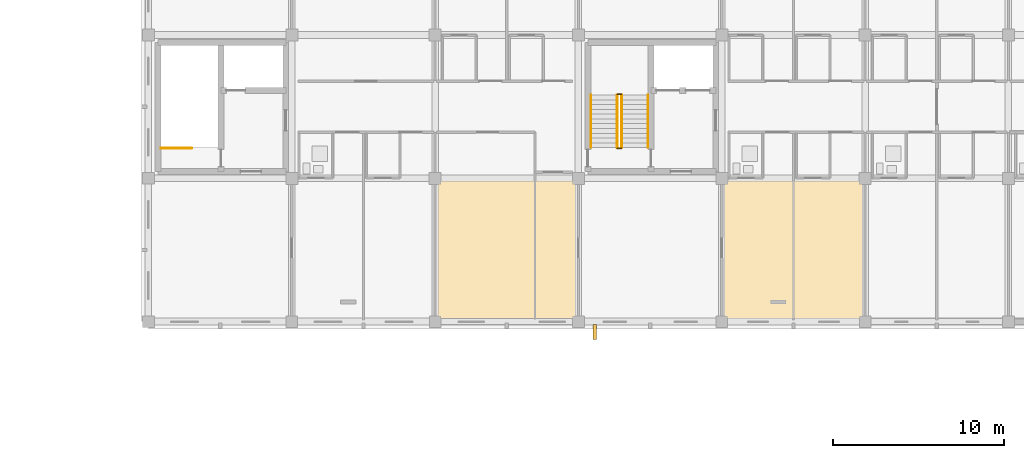
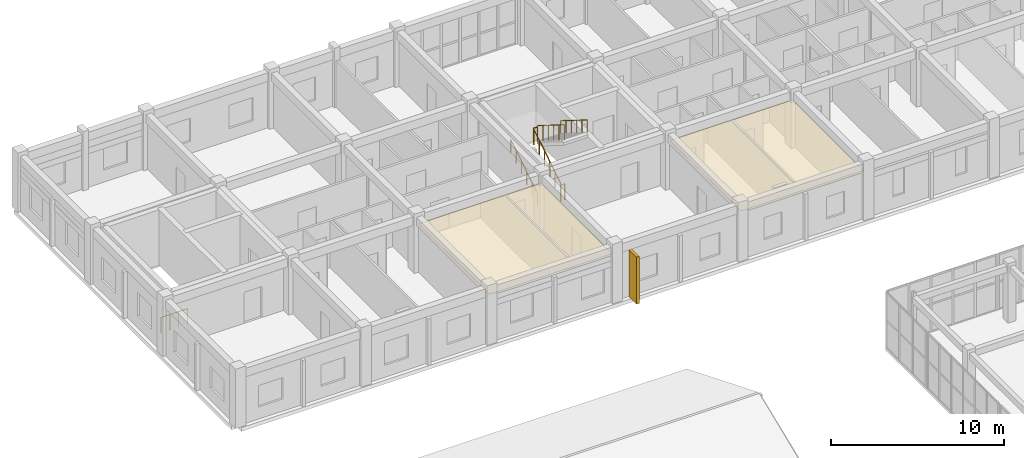
# One storey, part 134 of 140: 7 railings, 2 coverings, 1 shading device.
"""IFC4 building model written with IfcOpenShell, lengths in metres."""

from ifc_helpers import new_model, si_unit, direction, frame, origin, origin_2d, place, context, subcontext, project, spatial, polyline, rectangle, circle, outline, extrude, material, layer, layer_set, type_object, element, save


model = new_model("IFC4")

# Units and contexts
model_context = context("Model", 3, precision=1e-05, world=origin(), true_north=direction((0.0, 1.0)))
body_context = subcontext(model_context, "Body", "Model", "MODEL_VIEW")
ifc_project = project(units=[si_unit("LENGTHUNIT", "METRE"), si_unit("AREAUNIT", "SQUARE_METRE"), si_unit("VOLUMEUNIT", "CUBIC_METRE"), si_unit("PLANEANGLEUNIT", "RADIAN"), si_unit("MASSUNIT", "GRAM", prefix="KILO")], contexts=[model_context])

# Site, building, storey
site_placement = place(None, origin())
site = spatial("IfcSite", under=ifc_project, at=site_placement, CompositionType="ELEMENT")
building_placement = place(site_placement, origin())
building = spatial("IfcBuilding", under=site, at=building_placement, Name="Trelvath General Hospital", CompositionType="ELEMENT")
storey_placement = place(building_placement, frame((0.0, 0.0, 16.199951171875)))
storey = spatial("IfcBuildingStorey", under=building, at=storey_placement, Name="L04", CompositionType="ELEMENT", Elevation=16.199951171875)

# Shading device
ifc_material_1 = material(Name="Precast concrete C40/50", Category="concrete")
shading_device_type = type_object("IfcShadingDeviceType", Name="BriseSoleil PrecastFin900", PredefinedType="JALOUSIE", material=ifc_material_1)
shading_device_placement = place(storey_placement, frame((42.953369140625, 91.794921875, 0.0), z_axis=(0.0, 0.0, 1.0), x_axis=(0.0, -1.0, 0.0)))
element("IfcShadingDevice", 1, at=shading_device_placement, inside=storey, type_object=shading_device_type, Name="Solar Brise-Soleil Screen L04-73", PredefinedType="JALOUSIE", context=body_context, shape_type="SweptSolid", body=[
    extrude(rectangle(XDim=0.89990234375, YDim=0.179931640625, at=origin_2d()), origin(), (0.0, 0.0, 1.0), 3.320068359375),
])

# Coverings
ifc_material_2 = material(Name="Hygienic acoustic ceiling tile")
ifc_layer = layer(ifc_material_2, 0.02490234375)
ifc_layer_set = layer_set([ifc_layer], Name="Hygienic acoustic ceiling tile")
covering_type = type_object("IfcCoveringType", Name="Ceiling ClinicalAcoustic", PredefinedType="CEILING", material=ifc_layer_set)
covering_1_placement = place(storey_placement, frame((0.0, 0.0, 3.179931640625)))
element("IfcCovering", 2, at=covering_1_placement, inside=storey, type_object=covering_type, Name="Clinical Acoustic Ceiling L04-55", PredefinedType="CEILING", context=body_context, shape_type="SweptSolid", body=[
    extrude(outline(polyline([(33.699951171875, 92.5), (41.89990234375, 92.5), (41.89990234375, 100.719970703125), (33.699951171875, 100.719970703125), (33.699951171875, 92.5)])), origin(), (0.0, 0.0, 1.0), 0.025146484375),
])
covering_2_placement = place(storey_placement, frame((0.0, 0.0, 3.179931640625)))
element("IfcCovering", 3, at=covering_2_placement, inside=storey, type_object=covering_type, Name="Clinical Acoustic Ceiling L04-56", PredefinedType="CEILING", context=body_context, shape_type="SweptSolid", body=[
    extrude(outline(polyline([(50.5, 92.5), (58.699951171875, 92.5), (58.699951171875, 100.719970703125), (50.5, 100.719970703125), (50.5, 92.5)])), origin(), (0.0, 0.0, 1.0), 0.025146484375),
])

# Railings
ifc_material_3 = material(Name="Architectural painted steel", Category="steel")
railing_type_1 = type_object("IfcRailingType", Name="Guardrail Terrace1150", PredefinedType="GUARDRAIL", material=ifc_material_3)
railing_1_placement = place(storey_placement, frame((44.27001953125, 102.56005859375, 0.0)))
element("IfcRailing", 4, at=railing_1_placement, inside=storey, type_object=railing_type_1, Name="Stair Well Edge Guard C1 L04 24", PredefinedType="GUARDRAIL", context=body_context, shape_type="SweptSolid", body=[
    extrude(circle(Radius=0.02392578125, at=origin_2d()), frame((0.0, 0.0, 1.1259765625), z_axis=(1.0, 0.0, 0.0), x_axis=(0.0, 1.0, 0.0)), (0.0, 0.0, 1.0), 0.260009765625),
    extrude(circle(Radius=0.02099609375, at=origin_2d()), origin(), (0.0, 0.0, 1.0), 1.099853515625),
    extrude(circle(Radius=0.02099609375, at=origin_2d()), frame((0.260009765625, 0.0, 0.0)), (0.0, 0.0, 1.0), 1.099853515625),
])
railing_2_placement = place(storey_placement, frame((44.530029296875, 105.679931640625, 2.275146484375)))
element("IfcRailing", 5, at=railing_2_placement, inside=storey, type_object=railing_type_1, Name="Stair Rail ST1 L04 F2 L 26", PredefinedType="GUARDRAIL", context=body_context, shape_type="SweptSolid", body=[
    extrude(circle(Radius=0.02392578125, at=origin_2d()), frame((0.0, 0.0, 1.076171875), z_axis=(0.0, -0.848009633417, 0.529980812513), x_axis=(1.0, 0.0, 0.0)), (0.0, 0.0, 1.0), 3.6318359375),
    extrude(circle(Radius=0.02099609375, at=origin_2d()), origin(), (0.0, 0.0, 1.0), 1.050048828125),
    extrude(circle(Radius=0.02099609375, at=origin_2d()), frame((0.0, -0.615966796875, 0.385009765625)), (0.0, 0.0, 1.0), 1.050048828125),
    extrude(circle(Radius=0.02099609375, at=origin_2d()), frame((0.0, -1.23193359375, 0.77001953125)), (0.0, 0.0, 1.0), 1.050048828125),
    extrude(circle(Radius=0.02099609375, at=origin_2d()), frame((0.0, -1.847900390625, 1.15478515625)), (0.0, 0.0, 1.0), 1.050048828125),
    extrude(circle(Radius=0.02099609375, at=origin_2d()), frame((0.0, -2.4638671875, 1.539794921875)), (0.0, 0.0, 1.0), 1.050048828125),
    extrude(circle(Radius=0.02099609375, at=origin_2d()), frame((0.0, -3.079833984375, 1.9248046875)), (0.0, 0.0, 1.0), 1.050048828125),
])
railing_3_placement = place(storey_placement, frame((44.27001953125, 102.60009765625, 0.175048828125)))
element("IfcRailing", 6, at=railing_3_placement, inside=storey, type_object=railing_type_1, Name="Stair Rail ST1 L04 F1 R 27", PredefinedType="GUARDRAIL", context=body_context, shape_type="SweptSolid", body=[
    extrude(circle(Radius=0.02392578125, at=origin_2d()), frame((0.0, 0.0, 1.076171875), z_axis=(0.0, 0.847979421464, 0.530029150871), x_axis=(-1.0, 0.0, 0.0)), (0.0, 0.0, 1.0), 3.632080078125),
    extrude(circle(Radius=0.02099609375, at=origin_2d()), origin(), (0.0, 0.0, 1.0), 1.050048828125),
    extrude(circle(Radius=0.02099609375, at=origin_2d()), frame((0.0, 0.615966796875, 0.385009765625)), (0.0, 0.0, 1.0), 1.050048828125),
    extrude(circle(Radius=0.02099609375, at=origin_2d()), frame((0.0, 1.23193359375, 0.77001953125)), (0.0, 0.0, 1.0), 1.050048828125),
    extrude(circle(Radius=0.02099609375, at=origin_2d()), frame((0.0, 1.847900390625, 1.155029296875)), (0.0, 0.0, 1.0), 1.050048828125),
    extrude(circle(Radius=0.02099609375, at=origin_2d()), frame((0.0, 2.4638671875, 1.5400390625)), (0.0, 0.0, 1.0), 1.050048828125),
    extrude(circle(Radius=0.02099609375, at=origin_2d()), frame((0.0, 3.079833984375, 1.925048828125)), (0.0, 0.0, 1.0), 1.050048828125),
])
railing_4_placement = place(storey_placement, frame((44.27001953125, 105.719970703125, 2.10009765625)))
element("IfcRailing", 7, at=railing_4_placement, inside=storey, type_object=railing_type_1, Name="Half-Landing Well Guard ST1 L04 29", PredefinedType="GUARDRAIL", context=body_context, shape_type="SweptSolid", body=[
    extrude(circle(Radius=0.02392578125, at=origin_2d()), frame((0.0, 0.0, 1.1259765625), z_axis=(1.0, 0.0, 0.0), x_axis=(0.0, 1.0, 0.0)), (0.0, 0.0, 1.0), 0.260009765625),
    extrude(circle(Radius=0.02099609375, at=origin_2d()), origin(), (0.0, 0.0, 1.0), 1.099853515625),
    extrude(circle(Radius=0.02099609375, at=origin_2d()), frame((0.260009765625, 0.0, 0.0)), (0.0, 0.0, 1.0), 1.099853515625),
])
railing_5_placement = place(storey_placement, frame((17.530029296875, 102.56005859375, 0.0)))
element("IfcRailing", 8, at=railing_5_placement, inside=storey, type_object=railing_type_1, Name="Stair Well Edge Guard C3 L04 120", PredefinedType="GUARDRAIL", context=body_context, shape_type="SweptSolid", body=[
    extrude(circle(Radius=0.02392578125, at=origin_2d()), frame((0.0, 0.0, 1.1259765625), z_axis=(1.0, 0.0, 0.0), x_axis=(0.0, 1.0, 0.0)), (0.0, 0.0, 1.0), 1.800048828125),
    extrude(circle(Radius=0.02099609375, at=origin_2d()), origin(), (0.0, 0.0, 1.0), 1.099853515625),
    extrude(circle(Radius=0.02099609375, at=origin_2d()), frame((0.60009765625, 0.0, 0.0)), (0.0, 0.0, 1.0), 1.099853515625),
    extrude(circle(Radius=0.02099609375, at=origin_2d()), frame((1.199951171875, 0.0, 0.0)), (0.0, 0.0, 1.0), 1.099853515625),
    extrude(circle(Radius=0.02099609375, at=origin_2d()), frame((1.800048828125, 0.0, 0.0)), (0.0, 0.0, 1.0), 1.099853515625),
])
ifc_material_4 = material(Name="Brushed stainless steel", Category="steel")
railing_type_2 = type_object("IfcRailingType", Name="Handrail Stair900", PredefinedType="HANDRAIL", material=ifc_material_4)
railing_6_placement = place(storey_placement, frame((42.72998046875, 102.60009765625, 0.175048828125)))
element("IfcRailing", 9, at=railing_6_placement, inside=storey, type_object=railing_type_2, Name="Stair Rail ST1 L04 F1 L 25", PredefinedType="HANDRAIL", context=body_context, shape_type="SweptSolid", body=[
    extrude(circle(Radius=0.02392578125, at=origin_2d()), frame((0.0, 0.0, 0.8759765625), z_axis=(0.0, 0.847979421464, 0.530029150871), x_axis=(-1.0, 0.0, 0.0)), (0.0, 0.0, 1.0), 3.632080078125),
    extrude(circle(Radius=0.02099609375, at=origin_2d()), origin(), (0.0, 0.0, 1.0), 0.849853515625),
    extrude(circle(Radius=0.02099609375, at=origin_2d()), frame((0.0, 0.615966796875, 0.385009765625)), (0.0, 0.0, 1.0), 0.849853515625),
    extrude(circle(Radius=0.02099609375, at=origin_2d()), frame((0.0, 1.23193359375, 0.77001953125)), (0.0, 0.0, 1.0), 0.849853515625),
    extrude(circle(Radius=0.02099609375, at=origin_2d()), frame((0.0, 1.847900390625, 1.155029296875)), (0.0, 0.0, 1.0), 0.849853515625),
    extrude(circle(Radius=0.02099609375, at=origin_2d()), frame((0.0, 2.4638671875, 1.5400390625)), (0.0, 0.0, 1.0), 0.849853515625),
    extrude(circle(Radius=0.02099609375, at=origin_2d()), frame((0.0, 3.079833984375, 1.925048828125)), (0.0, 0.0, 1.0), 0.849853515625),
])
railing_7_placement = place(storey_placement, frame((46.070068359375, 105.679931640625, 2.275146484375)))
element("IfcRailing", 10, at=railing_7_placement, inside=storey, type_object=railing_type_2, Name="Stair Rail ST1 L04 F2 R 28", PredefinedType="HANDRAIL", context=body_context, shape_type="SweptSolid", body=[
    extrude(circle(Radius=0.02392578125, at=origin_2d()), frame((0.0, 0.0, 0.8759765625), z_axis=(0.0, -0.848009633417, 0.529980812513), x_axis=(1.0, 0.0, 0.0)), (0.0, 0.0, 1.0), 3.6318359375),
    extrude(circle(Radius=0.02099609375, at=origin_2d()), origin(), (0.0, 0.0, 1.0), 0.849853515625),
    extrude(circle(Radius=0.02099609375, at=origin_2d()), frame((0.0, -0.615966796875, 0.385009765625)), (0.0, 0.0, 1.0), 0.849853515625),
    extrude(circle(Radius=0.02099609375, at=origin_2d()), frame((0.0, -1.23193359375, 0.77001953125)), (0.0, 0.0, 1.0), 0.849853515625),
    extrude(circle(Radius=0.02099609375, at=origin_2d()), frame((0.0, -1.847900390625, 1.15478515625)), (0.0, 0.0, 1.0), 0.849853515625),
    extrude(circle(Radius=0.02099609375, at=origin_2d()), frame((0.0, -2.4638671875, 1.539794921875)), (0.0, 0.0, 1.0), 0.849853515625),
    extrude(circle(Radius=0.02099609375, at=origin_2d()), frame((0.0, -3.079833984375, 1.9248046875)), (0.0, 0.0, 1.0), 0.849853515625),
])

save(model, "model.ifc")
